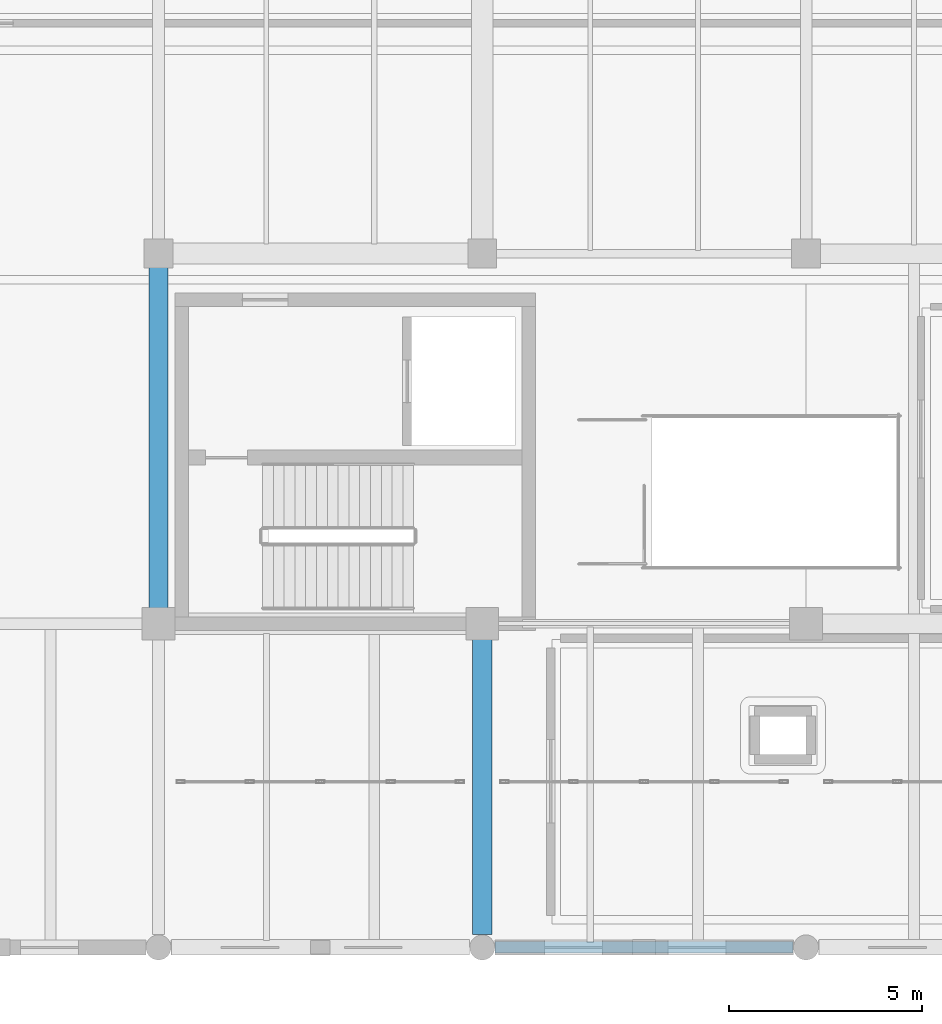
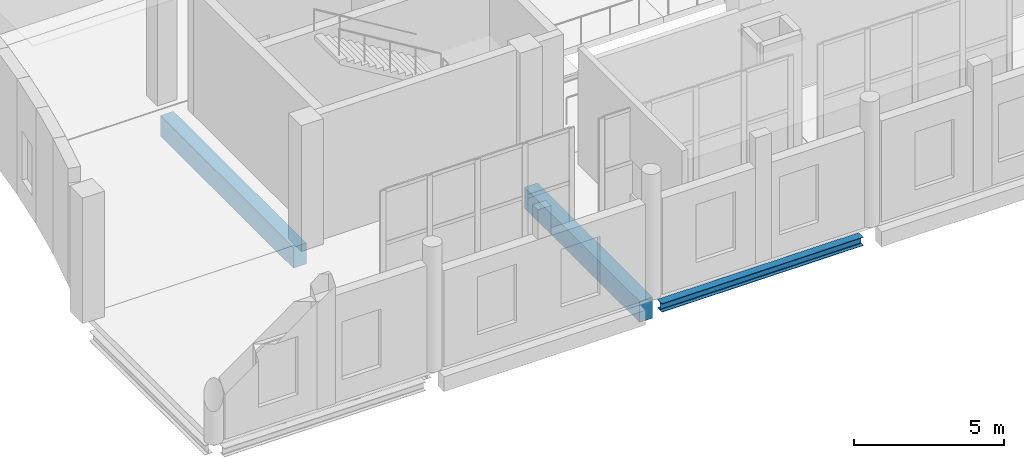
# One storey, part 4 of 73: 3 beams.
"""IFC4 building model written with IfcOpenShell, lengths in metres."""

from ifc_helpers import new_model, si_unit, direction, frame, origin, origin_2d, place, context, subcontext, project, spatial, rectangle, i_section, extrude, material, material_profile, profile_set, type_object, element, save


model = new_model("IFC4")

# Units and contexts
model_context = context("Model", 3, precision=1e-05, world=origin(), true_north=direction((0.0, 1.0)))
body_context = subcontext(model_context, "Body", "Model", "MODEL_VIEW")
ifc_project = project(units=[si_unit("LENGTHUNIT", "METRE"), si_unit("AREAUNIT", "SQUARE_METRE"), si_unit("VOLUMEUNIT", "CUBIC_METRE"), si_unit("PLANEANGLEUNIT", "RADIAN"), si_unit("MASSUNIT", "GRAM", prefix="KILO")], contexts=[model_context])

# Site, building, storey
site_placement = place(None, origin())
site = spatial("IfcSite", under=ifc_project, at=site_placement, CompositionType="ELEMENT")
building_placement = place(site_placement, origin())
building = spatial("IfcBuilding", under=site, at=building_placement, Name="Zulmaris Art Gallery", CompositionType="ELEMENT")
storey_placement = place(building_placement, frame((0.0, 0.0, 10.5)))
storey = spatial("IfcBuildingStorey", under=building, at=storey_placement, Name="L02", CompositionType="ELEMENT", Elevation=10.5)

# Beams
ifc_material_1 = material(Name="Concrete C40/50", Category="concrete")
ifc_material_profile_1 = material_profile(ifc_material_1, rectangle(XDim=0.5, YDim=0.85009765625, at=origin_2d()), Name="RC 500x850")
ifc_profile_set_1 = profile_set([ifc_material_profile_1], Name="Concrete C40/50")
beam_type_1 = type_object("IfcBeamType", Name="BEAM-BM26", PredefinedType="BEAM", material=ifc_profile_set_1)
beam_1_placement = place(storey_placement, frame((32.39990234375, 22.010009765625, -0.824951171875), z_axis=(0.0, 1.0, 0.0), x_axis=(-1.0, 0.0, 0.0)))
element("IfcBeam", 1, at=beam_1_placement, inside=storey, type_object=beam_type_1, Name="L02 Y-girder (x=32.4, 21.6..31.2)", PredefinedType="BEAM", context=body_context, shape_type="SweptSolid", body=[
    extrude(rectangle(XDim=0.5, YDim=0.85009765625, at=origin_2d()), origin(), (0.0, 0.0, 1.0), 8.830078125),
])
beam_2_placement = place(storey_placement, frame((40.800048828125, 13.534912109375, -0.824951171875), z_axis=(0.0, 1.0, 0.0), x_axis=(-1.0, 0.0, 0.0)))
element("IfcBeam", 2, at=beam_2_placement, inside=storey, type_object=beam_type_1, Name="L02 Y-girder (x=40.8, 13.2..21.6)", PredefinedType="BEAM", context=body_context, shape_type="SweptSolid", body=[
    extrude(rectangle(XDim=0.5, YDim=0.85009765625, at=origin_2d()), origin(), (0.0, 0.0, 1.0), 7.655029296875),
])
ifc_material_2 = material(Name="Steel S355J2", Category="steel")
ifc_material_profile_2 = material_profile(ifc_material_2, i_section(OverallWidth=0.300048828125, OverallDepth=0.35009765625, WebThickness=0.010009765625, FlangeThickness=0.017578125, FilletRadius=0.027099609375, at=origin_2d()), Name="HEA 360")
ifc_profile_set_2 = profile_set([ifc_material_profile_2], Name="Steel S355J2")
beam_type_2 = type_object("IfcBeamType", Name="BEAM-SP01", PredefinedType="SPANDREL", material=ifc_profile_set_2)
beam_3_placement = place(storey_placement, frame((41.135009765625, 13.199951171875, -0.574951171875), z_axis=(1.0, 0.0, 0.0), x_axis=(0.0, 1.0, 0.0)))
element("IfcBeam", 3, at=beam_3_placement, inside=storey, type_object=beam_type_2, Name="L02 X-girder (40.8..49.2, y=13.2)", PredefinedType="SPANDREL", context=body_context, shape_type="SweptSolid", body=[
    extrude(i_section(OverallWidth=0.300048828125, OverallDepth=0.35009765625, WebThickness=0.010009765625, FlangeThickness=0.017578125, FilletRadius=0.027099609375, at=origin_2d()), origin(), (0.0, 0.0, 1.0), 7.72998046875),
])

save(model, "model.ifc")
